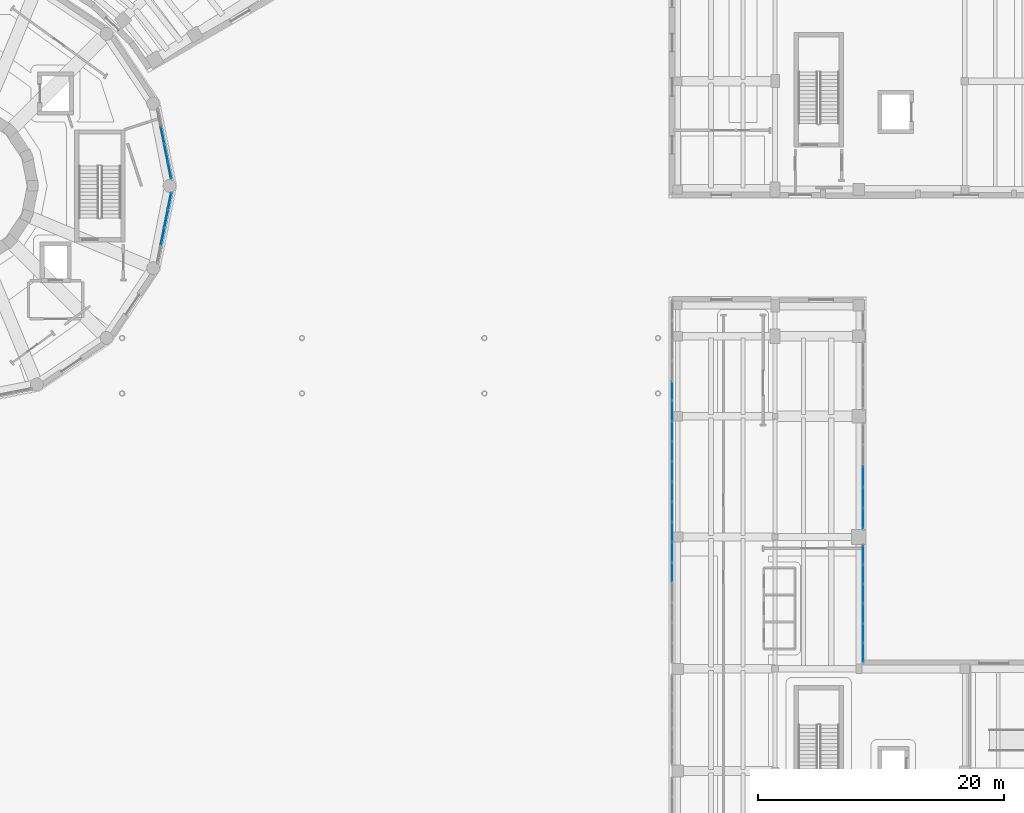
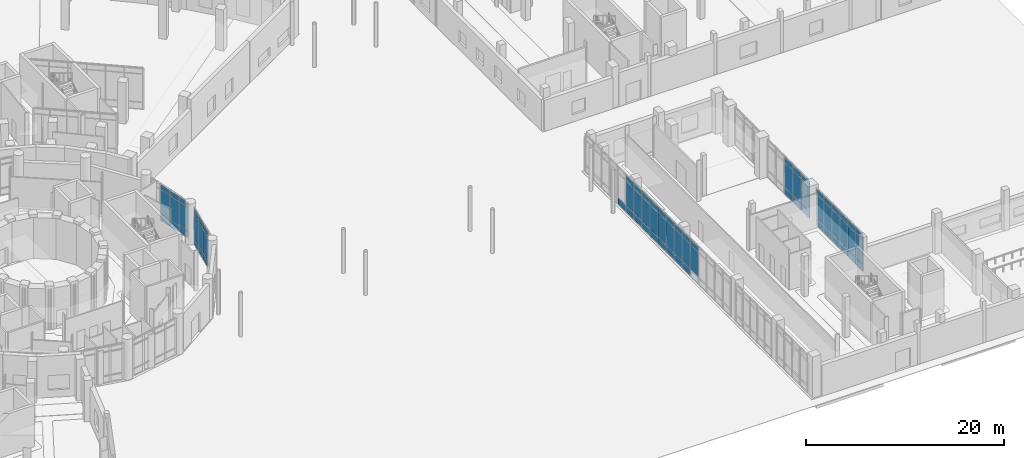
# One storey, part 35 of 74: 72 plates, 5 elements without a shape of their own.
"""IFC4 building model written with IfcOpenShell, lengths in metres."""

from ifc_helpers import new_model, si_unit, direction, frame, origin, origin_2d, place, context, subcontext, project, spatial, rectangle, extrude, material, layer, layer_set, type_object, element, aggregate, save


model = new_model("IFC4")

# Units and contexts
model_context = context("Model", 3, precision=1e-05, world=origin(), true_north=direction((0.0, 1.0)))
body_context = subcontext(model_context, "Body", "Model", "MODEL_VIEW")
ifc_project = project(units=[si_unit("LENGTHUNIT", "METRE"), si_unit("AREAUNIT", "SQUARE_METRE"), si_unit("VOLUMEUNIT", "CUBIC_METRE"), si_unit("PLANEANGLEUNIT", "RADIAN"), si_unit("MASSUNIT", "GRAM", prefix="KILO")], contexts=[model_context])

# Site, building, storey
site_placement = place(None, origin())
site = spatial("IfcSite", under=ifc_project, at=site_placement, CompositionType="ELEMENT")
building_placement = place(site_placement, origin())
building = spatial("IfcBuilding", under=site, at=building_placement, Name="Soyqirgoq Riverine Aquarium", CompositionType="ELEMENT")
storey_placement = place(building_placement, origin())
storey = spatial("IfcBuildingStorey", under=building, at=storey_placement, Name="L01", CompositionType="ELEMENT", Elevation=0.0)

# Curtain wall, plates
ifc_material_1 = material(Name="Anodised aluminium thermally broken triple low-E glazing", Category="aluminium")
curtain_wall_type_1 = type_object("IfcCurtainWallType", Name="CW_DrumGallery_Unitised", PredefinedType="NOTDEFINED", material=ifc_material_1)
curtain_wall_1_placement = place(storey_placement, origin())
curtain_wall_1 = element("IfcCurtainWall", 1, at=curtain_wall_1_placement, inside=storey, type_object=curtain_wall_type_1, Name="V1 L01 Curtain Wall 001", PredefinedType="NOTDEFINED")
ifc_material_2 = material(Name="Triple insulated laminated low-E glass", Category="glass")
ifc_layer_1 = layer(ifc_material_2, 0.0458984375)
ifc_layer_set_1 = layer_set([ifc_layer_1], Name="Triple insulated laminated low-E glass")
plate_type_1 = type_object("IfcPlateType", Name="CWGlazedPanel_46", PredefinedType="CURTAIN_PANEL", material=ifc_layer_set_1)
plate_1_placement = place(storey_placement, frame((73.449462890625, 58.259765625, 0.074951171875), z_axis=(0.0, 0.0, 1.0), x_axis=(-0.195074782196, 0.980788371338, 0.0)))
plate_1 = element("IfcPlate", 2, at=plate_1_placement, type_object=plate_type_1, Name="CW-01 panel 1.1", PredefinedType="CURTAIN_PANEL", context=body_context, shape_type="SweptSolid", body=[
    extrude(rectangle(XDim=1.339111328125, YDim=0.0458984375, at=origin_2d()), origin(), (0.0, 0.0, 1.0), 0.78759765625),
])
plate_2_placement = place(storey_placement, frame((73.449462890625, 58.259765625, 0.9375), z_axis=(0.0, 0.0, 1.0), x_axis=(-0.195074782196, 0.980788371338, 0.0)))
plate_2 = element("IfcPlate", 3, at=plate_2_placement, type_object=plate_type_1, Name="CW-01 panel 1.2", PredefinedType="CURTAIN_PANEL", context=body_context, shape_type="SweptSolid", body=[
    extrude(rectangle(XDim=1.339111328125, YDim=0.0458984375, at=origin_2d()), origin(), (0.0, 0.0, 1.0), 2.875),
])
plate_3_placement = place(storey_placement, frame((73.449462890625, 58.259765625, 3.887451171875), z_axis=(0.0, 0.0, 1.0), x_axis=(-0.195074782196, 0.980788371338, 0.0)))
plate_3 = element("IfcPlate", 4, at=plate_3_placement, type_object=plate_type_1, Name="CW-01 panel 1.3", PredefinedType="CURTAIN_PANEL", context=body_context, shape_type="SweptSolid", body=[
    extrude(rectangle(XDim=1.339111328125, YDim=0.0458984375, at=origin_2d()), origin(), (0.0, 0.0, 1.0), 0.58740234375),
])
plate_4_placement = place(storey_placement, frame((73.168701171875, 59.671142578125, 0.074951171875), z_axis=(0.0, 0.0, 1.0), x_axis=(-0.195074782196, 0.980788371338, 0.0)))
plate_4 = element("IfcPlate", 5, at=plate_4_placement, type_object=plate_type_1, Name="CW-01 panel 2.1", PredefinedType="CURTAIN_PANEL", context=body_context, shape_type="SweptSolid", body=[
    extrude(rectangle(XDim=1.379150390625, YDim=0.0458984375, at=origin_2d()), origin(), (0.0, 0.0, 1.0), 0.78759765625),
])
plate_5_placement = place(storey_placement, frame((73.168701171875, 59.671142578125, 0.9375), z_axis=(0.0, 0.0, 1.0), x_axis=(-0.195074782196, 0.980788371338, 0.0)))
plate_5 = element("IfcPlate", 6, at=plate_5_placement, type_object=plate_type_1, Name="CW-01 panel 2.2", PredefinedType="CURTAIN_PANEL", context=body_context, shape_type="SweptSolid", body=[
    extrude(rectangle(XDim=1.379150390625, YDim=0.0458984375, at=origin_2d()), origin(), (0.0, 0.0, 1.0), 2.875),
])
plate_6_placement = place(storey_placement, frame((73.168701171875, 59.671142578125, 3.887451171875), z_axis=(0.0, 0.0, 1.0), x_axis=(-0.195074782196, 0.980788371338, 0.0)))
plate_6 = element("IfcPlate", 7, at=plate_6_placement, type_object=plate_type_1, Name="CW-01 panel 2.3", PredefinedType="CURTAIN_PANEL", context=body_context, shape_type="SweptSolid", body=[
    extrude(rectangle(XDim=1.379150390625, YDim=0.0458984375, at=origin_2d()), origin(), (0.0, 0.0, 1.0), 0.58740234375),
])
plate_7_placement = place(storey_placement, frame((72.884033203125, 61.102294921875, 0.074951171875), z_axis=(0.0, 0.0, 1.0), x_axis=(-0.195074782196, 0.980788371338, 0.0)))
plate_7 = element("IfcPlate", 8, at=plate_7_placement, type_object=plate_type_1, Name="CW-01 panel 3.1", PredefinedType="CURTAIN_PANEL", context=body_context, shape_type="SweptSolid", body=[
    extrude(rectangle(XDim=1.379150390625, YDim=0.0458984375, at=origin_2d()), origin(), (0.0, 0.0, 1.0), 0.78759765625),
])
plate_8_placement = place(storey_placement, frame((72.884033203125, 61.102294921875, 0.9375), z_axis=(0.0, 0.0, 1.0), x_axis=(-0.195074782196, 0.980788371338, 0.0)))
plate_8 = element("IfcPlate", 9, at=plate_8_placement, type_object=plate_type_1, Name="CW-01 panel 3.2", PredefinedType="CURTAIN_PANEL", context=body_context, shape_type="SweptSolid", body=[
    extrude(rectangle(XDim=1.379150390625, YDim=0.0458984375, at=origin_2d()), origin(), (0.0, 0.0, 1.0), 2.875),
])
plate_9_placement = place(storey_placement, frame((72.884033203125, 61.102294921875, 3.887451171875), z_axis=(0.0, 0.0, 1.0), x_axis=(-0.195074782196, 0.980788371338, 0.0)))
plate_9 = element("IfcPlate", 10, at=plate_9_placement, type_object=plate_type_1, Name="CW-01 panel 3.3", PredefinedType="CURTAIN_PANEL", context=body_context, shape_type="SweptSolid", body=[
    extrude(rectangle(XDim=1.379150390625, YDim=0.0458984375, at=origin_2d()), origin(), (0.0, 0.0, 1.0), 0.58740234375),
])
aggregate(curtain_wall_1, [plate_1, plate_2, plate_3, plate_4, plate_5, plate_6, plate_7, plate_8, plate_9])

ifc_material_3 = material(Name="Structural silicone glazed entrance curtain wall", Category="aluminium")
curtain_wall_type_2 = type_object("IfcCurtainWallType", Name="CW_Portal_Entrance", PredefinedType="NOTDEFINED", material=ifc_material_3)
curtain_wall_2_placement = place(storey_placement, origin())
curtain_wall_2 = element("IfcCurtainWall", 11, at=curtain_wall_2_placement, inside=storey, type_object=curtain_wall_type_2, Name="V6 L01 Curtain Wall 106", PredefinedType="NOTDEFINED")
plate_10_placement = place(storey_placement, frame((114.25, 25.6298828125, 0.9375), z_axis=(0.0, 0.0, 1.0), x_axis=(0.0, 1.0, 0.0)))
plate_10 = element("IfcPlate", 12, at=plate_10_placement, type_object=plate_type_1, Name="CW-04 panel 5.2", PredefinedType="CURTAIN_PANEL", context=body_context, shape_type="SweptSolid", body=[
    extrude(rectangle(XDim=1.5556640625, YDim=0.0458984375, at=origin_2d()), origin(), (0.0, 0.0, 1.0), 3.02490234375),
])
plate_11_placement = place(storey_placement, frame((114.25, 25.6298828125, 4.03759765625), z_axis=(0.0, 0.0, 1.0), x_axis=(0.0, 1.0, 0.0)))
plate_11 = element("IfcPlate", 13, at=plate_11_placement, type_object=plate_type_1, Name="CW-04 panel 5.3", PredefinedType="CURTAIN_PANEL", context=body_context, shape_type="SweptSolid", body=[
    extrude(rectangle(XDim=1.5556640625, YDim=0.0458984375, at=origin_2d()), origin(), (0.0, 0.0, 1.0), 0.58740234375),
])
plate_12_placement = place(storey_placement, frame((114.25, 27.265625, 0.074951171875), z_axis=(0.0, 0.0, 1.0), x_axis=(0.0, 1.0, 0.0)))
plate_12 = element("IfcPlate", 14, at=plate_12_placement, type_object=plate_type_1, Name="CW-04 panel 6.1", PredefinedType="CURTAIN_PANEL", context=body_context, shape_type="SweptSolid", body=[
    extrude(rectangle(XDim=1.5556640625, YDim=0.0458984375, at=origin_2d()), origin(), (0.0, 0.0, 1.0), 0.78759765625),
])
plate_13_placement = place(storey_placement, frame((114.25, 27.265625, 0.9375), z_axis=(0.0, 0.0, 1.0), x_axis=(0.0, 1.0, 0.0)))
plate_13 = element("IfcPlate", 15, at=plate_13_placement, type_object=plate_type_1, Name="CW-04 panel 6.2", PredefinedType="CURTAIN_PANEL", context=body_context, shape_type="SweptSolid", body=[
    extrude(rectangle(XDim=1.5556640625, YDim=0.0458984375, at=origin_2d()), origin(), (0.0, 0.0, 1.0), 3.02490234375),
])
plate_14_placement = place(storey_placement, frame((114.25, 27.265625, 4.03759765625), z_axis=(0.0, 0.0, 1.0), x_axis=(0.0, 1.0, 0.0)))
plate_14 = element("IfcPlate", 16, at=plate_14_placement, type_object=plate_type_1, Name="CW-04 panel 6.3", PredefinedType="CURTAIN_PANEL", context=body_context, shape_type="SweptSolid", body=[
    extrude(rectangle(XDim=1.5556640625, YDim=0.0458984375, at=origin_2d()), origin(), (0.0, 0.0, 1.0), 0.58740234375),
])
plate_15_placement = place(storey_placement, frame((114.25, 28.901123046875, 0.074951171875), z_axis=(0.0, 0.0, 1.0), x_axis=(0.0, 1.0, 0.0)))
plate_15 = element("IfcPlate", 17, at=plate_15_placement, type_object=plate_type_1, Name="CW-04 panel 7.1", PredefinedType="CURTAIN_PANEL", context=body_context, shape_type="SweptSolid", body=[
    extrude(rectangle(XDim=1.5556640625, YDim=0.0458984375, at=origin_2d()), origin(), (0.0, 0.0, 1.0), 0.78759765625),
])
plate_16_placement = place(storey_placement, frame((114.25, 28.901123046875, 0.9375), z_axis=(0.0, 0.0, 1.0), x_axis=(0.0, 1.0, 0.0)))
plate_16 = element("IfcPlate", 18, at=plate_16_placement, type_object=plate_type_1, Name="CW-04 panel 7.2", PredefinedType="CURTAIN_PANEL", context=body_context, shape_type="SweptSolid", body=[
    extrude(rectangle(XDim=1.5556640625, YDim=0.0458984375, at=origin_2d()), origin(), (0.0, 0.0, 1.0), 3.02490234375),
])
plate_17_placement = place(storey_placement, frame((114.25, 28.901123046875, 4.03759765625), z_axis=(0.0, 0.0, 1.0), x_axis=(0.0, 1.0, 0.0)))
plate_17 = element("IfcPlate", 19, at=plate_17_placement, type_object=plate_type_1, Name="CW-04 panel 7.3", PredefinedType="CURTAIN_PANEL", context=body_context, shape_type="SweptSolid", body=[
    extrude(rectangle(XDim=1.5556640625, YDim=0.0458984375, at=origin_2d()), origin(), (0.0, 0.0, 1.0), 0.58740234375),
])
plate_18_placement = place(storey_placement, frame((114.25, 30.53662109375, 0.074951171875), z_axis=(0.0, 0.0, 1.0), x_axis=(0.0, 1.0, 0.0)))
plate_18 = element("IfcPlate", 20, at=plate_18_placement, type_object=plate_type_1, Name="CW-04 panel 8.1", PredefinedType="CURTAIN_PANEL", context=body_context, shape_type="SweptSolid", body=[
    extrude(rectangle(XDim=1.5556640625, YDim=0.0458984375, at=origin_2d()), origin(), (0.0, 0.0, 1.0), 0.78759765625),
])
plate_19_placement = place(storey_placement, frame((114.25, 30.53662109375, 0.9375), z_axis=(0.0, 0.0, 1.0), x_axis=(0.0, 1.0, 0.0)))
plate_19 = element("IfcPlate", 21, at=plate_19_placement, type_object=plate_type_1, Name="CW-04 panel 8.2", PredefinedType="CURTAIN_PANEL", context=body_context, shape_type="SweptSolid", body=[
    extrude(rectangle(XDim=1.5556640625, YDim=0.0458984375, at=origin_2d()), origin(), (0.0, 0.0, 1.0), 3.02490234375),
])
plate_20_placement = place(storey_placement, frame((114.25, 30.53662109375, 4.03759765625), z_axis=(0.0, 0.0, 1.0), x_axis=(0.0, 1.0, 0.0)))
plate_20 = element("IfcPlate", 22, at=plate_20_placement, type_object=plate_type_1, Name="CW-04 panel 8.3", PredefinedType="CURTAIN_PANEL", context=body_context, shape_type="SweptSolid", body=[
    extrude(rectangle(XDim=1.5556640625, YDim=0.0458984375, at=origin_2d()), origin(), (0.0, 0.0, 1.0), 0.58740234375),
])
plate_21_placement = place(storey_placement, frame((114.25, 32.172119140625, 0.074951171875), z_axis=(0.0, 0.0, 1.0), x_axis=(0.0, 1.0, 0.0)))
plate_21 = element("IfcPlate", 23, at=plate_21_placement, type_object=plate_type_1, Name="CW-04 panel 9.1", PredefinedType="CURTAIN_PANEL", context=body_context, shape_type="SweptSolid", body=[
    extrude(rectangle(XDim=1.5556640625, YDim=0.0458984375, at=origin_2d()), origin(), (0.0, 0.0, 1.0), 0.78759765625),
])
plate_22_placement = place(storey_placement, frame((114.25, 32.172119140625, 0.9375), z_axis=(0.0, 0.0, 1.0), x_axis=(0.0, 1.0, 0.0)))
plate_22 = element("IfcPlate", 24, at=plate_22_placement, type_object=plate_type_1, Name="CW-04 panel 9.2", PredefinedType="CURTAIN_PANEL", context=body_context, shape_type="SweptSolid", body=[
    extrude(rectangle(XDim=1.5556640625, YDim=0.0458984375, at=origin_2d()), origin(), (0.0, 0.0, 1.0), 3.02490234375),
])
plate_23_placement = place(storey_placement, frame((114.25, 32.172119140625, 4.03759765625), z_axis=(0.0, 0.0, 1.0), x_axis=(0.0, 1.0, 0.0)))
plate_23 = element("IfcPlate", 25, at=plate_23_placement, type_object=plate_type_1, Name="CW-04 panel 9.3", PredefinedType="CURTAIN_PANEL", context=body_context, shape_type="SweptSolid", body=[
    extrude(rectangle(XDim=1.5556640625, YDim=0.0458984375, at=origin_2d()), origin(), (0.0, 0.0, 1.0), 0.58740234375),
])
plate_24_placement = place(storey_placement, frame((114.25, 33.807861328125, 0.074951171875), z_axis=(0.0, 0.0, 1.0), x_axis=(0.0, 1.0, 0.0)))
plate_24 = element("IfcPlate", 26, at=plate_24_placement, type_object=plate_type_1, Name="CW-04 panel 10.1", PredefinedType="CURTAIN_PANEL", context=body_context, shape_type="SweptSolid", body=[
    extrude(rectangle(XDim=1.5556640625, YDim=0.0458984375, at=origin_2d()), origin(), (0.0, 0.0, 1.0), 0.78759765625),
])
plate_25_placement = place(storey_placement, frame((114.25, 33.807861328125, 0.9375), z_axis=(0.0, 0.0, 1.0), x_axis=(0.0, 1.0, 0.0)))
plate_25 = element("IfcPlate", 27, at=plate_25_placement, type_object=plate_type_1, Name="CW-04 panel 10.2", PredefinedType="CURTAIN_PANEL", context=body_context, shape_type="SweptSolid", body=[
    extrude(rectangle(XDim=1.5556640625, YDim=0.0458984375, at=origin_2d()), origin(), (0.0, 0.0, 1.0), 3.02490234375),
])
plate_26_placement = place(storey_placement, frame((114.25, 33.807861328125, 4.03759765625), z_axis=(0.0, 0.0, 1.0), x_axis=(0.0, 1.0, 0.0)))
plate_26 = element("IfcPlate", 28, at=plate_26_placement, type_object=plate_type_1, Name="CW-04 panel 10.3", PredefinedType="CURTAIN_PANEL", context=body_context, shape_type="SweptSolid", body=[
    extrude(rectangle(XDim=1.5556640625, YDim=0.0458984375, at=origin_2d()), origin(), (0.0, 0.0, 1.0), 0.58740234375),
])
plate_27_placement = place(storey_placement, frame((114.25, 35.443359375, 0.074951171875), z_axis=(0.0, 0.0, 1.0), x_axis=(0.0, 1.0, 0.0)))
plate_27 = element("IfcPlate", 29, at=plate_27_placement, type_object=plate_type_1, Name="CW-04 panel 11.1", PredefinedType="CURTAIN_PANEL", context=body_context, shape_type="SweptSolid", body=[
    extrude(rectangle(XDim=1.5556640625, YDim=0.0458984375, at=origin_2d()), origin(), (0.0, 0.0, 1.0), 0.78759765625),
])
plate_28_placement = place(storey_placement, frame((114.25, 35.443359375, 0.9375), z_axis=(0.0, 0.0, 1.0), x_axis=(0.0, 1.0, 0.0)))
plate_28 = element("IfcPlate", 30, at=plate_28_placement, type_object=plate_type_1, Name="CW-04 panel 11.2", PredefinedType="CURTAIN_PANEL", context=body_context, shape_type="SweptSolid", body=[
    extrude(rectangle(XDim=1.5556640625, YDim=0.0458984375, at=origin_2d()), origin(), (0.0, 0.0, 1.0), 3.02490234375),
])
plate_29_placement = place(storey_placement, frame((114.25, 35.443359375, 4.03759765625), z_axis=(0.0, 0.0, 1.0), x_axis=(0.0, 1.0, 0.0)))
plate_29 = element("IfcPlate", 31, at=plate_29_placement, type_object=plate_type_1, Name="CW-04 panel 11.3", PredefinedType="CURTAIN_PANEL", context=body_context, shape_type="SweptSolid", body=[
    extrude(rectangle(XDim=1.5556640625, YDim=0.0458984375, at=origin_2d()), origin(), (0.0, 0.0, 1.0), 0.58740234375),
])
plate_30_placement = place(storey_placement, frame((114.25, 37.078857421875, 0.074951171875), z_axis=(0.0, 0.0, 1.0), x_axis=(0.0, 1.0, 0.0)))
plate_30 = element("IfcPlate", 32, at=plate_30_placement, type_object=plate_type_1, Name="CW-04 panel 12.1", PredefinedType="CURTAIN_PANEL", context=body_context, shape_type="SweptSolid", body=[
    extrude(rectangle(XDim=1.5556640625, YDim=0.0458984375, at=origin_2d()), origin(), (0.0, 0.0, 1.0), 0.78759765625),
])
plate_31_placement = place(storey_placement, frame((114.25, 37.078857421875, 0.9375), z_axis=(0.0, 0.0, 1.0), x_axis=(0.0, 1.0, 0.0)))
plate_31 = element("IfcPlate", 33, at=plate_31_placement, type_object=plate_type_1, Name="CW-04 panel 12.2", PredefinedType="CURTAIN_PANEL", context=body_context, shape_type="SweptSolid", body=[
    extrude(rectangle(XDim=1.5556640625, YDim=0.0458984375, at=origin_2d()), origin(), (0.0, 0.0, 1.0), 3.02490234375),
])
plate_32_placement = place(storey_placement, frame((114.25, 37.078857421875, 4.03759765625), z_axis=(0.0, 0.0, 1.0), x_axis=(0.0, 1.0, 0.0)))
plate_32 = element("IfcPlate", 34, at=plate_32_placement, type_object=plate_type_1, Name="CW-04 panel 12.3", PredefinedType="CURTAIN_PANEL", context=body_context, shape_type="SweptSolid", body=[
    extrude(rectangle(XDim=1.5556640625, YDim=0.0458984375, at=origin_2d()), origin(), (0.0, 0.0, 1.0), 0.58740234375),
])
plate_33_placement = place(storey_placement, frame((114.25, 38.71435546875, 0.074951171875), z_axis=(0.0, 0.0, 1.0), x_axis=(0.0, 1.0, 0.0)))
plate_33 = element("IfcPlate", 35, at=plate_33_placement, type_object=plate_type_1, Name="CW-04 panel 13.1", PredefinedType="CURTAIN_PANEL", context=body_context, shape_type="SweptSolid", body=[
    extrude(rectangle(XDim=1.5556640625, YDim=0.0458984375, at=origin_2d()), origin(), (0.0, 0.0, 1.0), 0.78759765625),
])
plate_34_placement = place(storey_placement, frame((114.25, 38.71435546875, 0.9375), z_axis=(0.0, 0.0, 1.0), x_axis=(0.0, 1.0, 0.0)))
plate_34 = element("IfcPlate", 36, at=plate_34_placement, type_object=plate_type_1, Name="CW-04 panel 13.2", PredefinedType="CURTAIN_PANEL", context=body_context, shape_type="SweptSolid", body=[
    extrude(rectangle(XDim=1.5556640625, YDim=0.0458984375, at=origin_2d()), origin(), (0.0, 0.0, 1.0), 3.02490234375),
])
plate_35_placement = place(storey_placement, frame((114.25, 38.71435546875, 4.03759765625), z_axis=(0.0, 0.0, 1.0), x_axis=(0.0, 1.0, 0.0)))
plate_35 = element("IfcPlate", 37, at=plate_35_placement, type_object=plate_type_1, Name="CW-04 panel 13.3", PredefinedType="CURTAIN_PANEL", context=body_context, shape_type="SweptSolid", body=[
    extrude(rectangle(XDim=1.5556640625, YDim=0.0458984375, at=origin_2d()), origin(), (0.0, 0.0, 1.0), 0.58740234375),
])
plate_36_placement = place(storey_placement, frame((114.25, 40.35009765625, 0.074951171875), z_axis=(0.0, 0.0, 1.0), x_axis=(0.0, 1.0, 0.0)))
plate_36 = element("IfcPlate", 38, at=plate_36_placement, type_object=plate_type_1, Name="CW-04 panel 14.1", PredefinedType="CURTAIN_PANEL", context=body_context, shape_type="SweptSolid", body=[
    extrude(rectangle(XDim=1.5556640625, YDim=0.0458984375, at=origin_2d()), origin(), (0.0, 0.0, 1.0), 0.78759765625),
])
aggregate(curtain_wall_2, [plate_10, plate_11, plate_12, plate_13, plate_14, plate_15, plate_16, plate_17, plate_18, plate_19, plate_20, plate_21, plate_22, plate_23, plate_24, plate_25, plate_26, plate_27, plate_28, plate_29, plate_30, plate_31, plate_32, plate_33, plate_34, plate_35, plate_36])

curtain_wall_3_placement = place(storey_placement, origin())
curtain_wall_3 = element("IfcCurtainWall", 39, at=curtain_wall_3_placement, inside=storey, type_object=curtain_wall_type_2, Name="V6 L01 Curtain Wall 109", PredefinedType="NOTDEFINED")
plate_37_placement = place(storey_placement, frame((129.75, 33.425048828125, 0.074951171875), z_axis=(0.0, 0.0, 1.0), x_axis=(0.0, -1.0, 0.0)))
plate_37 = element("IfcPlate", 40, at=plate_37_placement, type_object=plate_type_1, Name="CW-04 panel 3.1", PredefinedType="CURTAIN_PANEL", context=body_context, shape_type="SweptSolid", body=[
    extrude(rectangle(XDim=1.64208984375, YDim=0.0458984375, at=origin_2d()), origin(), (0.0, 0.0, 1.0), 0.78759765625),
])
plate_38_placement = place(storey_placement, frame((129.75, 33.425048828125, 0.9375), z_axis=(0.0, 0.0, 1.0), x_axis=(0.0, -1.0, 0.0)))
plate_38 = element("IfcPlate", 41, at=plate_38_placement, type_object=plate_type_1, Name="CW-04 panel 3.2", PredefinedType="CURTAIN_PANEL", context=body_context, shape_type="SweptSolid", body=[
    extrude(rectangle(XDim=1.64208984375, YDim=0.0458984375, at=origin_2d()), origin(), (0.0, 0.0, 1.0), 3.02490234375),
])
plate_39_placement = place(storey_placement, frame((129.75, 33.425048828125, 4.03759765625), z_axis=(0.0, 0.0, 1.0), x_axis=(0.0, -1.0, 0.0)))
plate_39 = element("IfcPlate", 42, at=plate_39_placement, type_object=plate_type_1, Name="CW-04 panel 3.3", PredefinedType="CURTAIN_PANEL", context=body_context, shape_type="SweptSolid", body=[
    extrude(rectangle(XDim=1.64208984375, YDim=0.0458984375, at=origin_2d()), origin(), (0.0, 0.0, 1.0), 0.58740234375),
])
plate_40_placement = place(storey_placement, frame((129.75, 31.702880859375, 0.074951171875), z_axis=(0.0, 0.0, 1.0), x_axis=(0.0, -1.0, 0.0)))
plate_40 = element("IfcPlate", 43, at=plate_40_placement, type_object=plate_type_1, Name="CW-04 panel 4.1", PredefinedType="CURTAIN_PANEL", context=body_context, shape_type="SweptSolid", body=[
    extrude(rectangle(XDim=1.64208984375, YDim=0.0458984375, at=origin_2d()), origin(), (0.0, 0.0, 1.0), 0.78759765625),
])
plate_41_placement = place(storey_placement, frame((129.75, 31.702880859375, 0.9375), z_axis=(0.0, 0.0, 1.0), x_axis=(0.0, -1.0, 0.0)))
plate_41 = element("IfcPlate", 44, at=plate_41_placement, type_object=plate_type_1, Name="CW-04 panel 4.2", PredefinedType="CURTAIN_PANEL", context=body_context, shape_type="SweptSolid", body=[
    extrude(rectangle(XDim=1.64208984375, YDim=0.0458984375, at=origin_2d()), origin(), (0.0, 0.0, 1.0), 3.02490234375),
])
plate_42_placement = place(storey_placement, frame((129.75, 31.702880859375, 4.03759765625), z_axis=(0.0, 0.0, 1.0), x_axis=(0.0, -1.0, 0.0)))
plate_42 = element("IfcPlate", 45, at=plate_42_placement, type_object=plate_type_1, Name="CW-04 panel 4.3", PredefinedType="CURTAIN_PANEL", context=body_context, shape_type="SweptSolid", body=[
    extrude(rectangle(XDim=1.64208984375, YDim=0.0458984375, at=origin_2d()), origin(), (0.0, 0.0, 1.0), 0.58740234375),
])
plate_43_placement = place(storey_placement, frame((129.75, 30.0009765625, 0.074951171875), z_axis=(0.0, 0.0, 1.0), x_axis=(0.0, -1.0, 0.0)))
plate_43 = element("IfcPlate", 46, at=plate_43_placement, type_object=plate_type_1, Name="CW-04 panel 5.1", PredefinedType="CURTAIN_PANEL", context=body_context, shape_type="SweptSolid", body=[
    extrude(rectangle(XDim=1.60205078125, YDim=0.0458984375, at=origin_2d()), origin(), (0.0, 0.0, 1.0), 0.78759765625),
])
plate_44_placement = place(storey_placement, frame((129.75, 30.0009765625, 0.9375), z_axis=(0.0, 0.0, 1.0), x_axis=(0.0, -1.0, 0.0)))
plate_44 = element("IfcPlate", 47, at=plate_44_placement, type_object=plate_type_1, Name="CW-04 panel 5.2", PredefinedType="CURTAIN_PANEL", context=body_context, shape_type="SweptSolid", body=[
    extrude(rectangle(XDim=1.60205078125, YDim=0.0458984375, at=origin_2d()), origin(), (0.0, 0.0, 1.0), 3.02490234375),
])
plate_45_placement = place(storey_placement, frame((129.75, 30.0009765625, 4.03759765625), z_axis=(0.0, 0.0, 1.0), x_axis=(0.0, -1.0, 0.0)))
plate_45 = element("IfcPlate", 48, at=plate_45_placement, type_object=plate_type_1, Name="CW-04 panel 5.3", PredefinedType="CURTAIN_PANEL", context=body_context, shape_type="SweptSolid", body=[
    extrude(rectangle(XDim=1.60205078125, YDim=0.0458984375, at=origin_2d()), origin(), (0.0, 0.0, 1.0), 0.58740234375),
])
aggregate(curtain_wall_3, [plate_37, plate_38, plate_39, plate_40, plate_41, plate_42, plate_43, plate_44, plate_45])

curtain_wall_4_placement = place(storey_placement, origin())
curtain_wall_4 = element("IfcCurtainWall", 49, at=curtain_wall_4_placement, inside=storey, type_object=curtain_wall_type_2, Name="V6 L01 Curtain Wall 110", PredefinedType="NOTDEFINED")
plate_46_placement = place(storey_placement, frame((129.75, 27.060791015625, 0.074951171875), z_axis=(0.0, 0.0, 1.0), x_axis=(0.0, -1.0, 0.0)))
plate_46 = element("IfcPlate", 50, at=plate_46_placement, type_object=plate_type_1, Name="CW-04 panel 1.1", PredefinedType="CURTAIN_PANEL", context=body_context, shape_type="SweptSolid", body=[
    extrude(rectangle(XDim=1.478271484375, YDim=0.0458984375, at=origin_2d()), origin(), (0.0, 0.0, 1.0), 0.78759765625),
])
plate_47_placement = place(storey_placement, frame((129.75, 27.060791015625, 0.9375), z_axis=(0.0, 0.0, 1.0), x_axis=(0.0, -1.0, 0.0)))
plate_47 = element("IfcPlate", 51, at=plate_47_placement, type_object=plate_type_1, Name="CW-04 panel 1.2", PredefinedType="CURTAIN_PANEL", context=body_context, shape_type="SweptSolid", body=[
    extrude(rectangle(XDim=1.478271484375, YDim=0.0458984375, at=origin_2d()), origin(), (0.0, 0.0, 1.0), 3.02490234375),
])
plate_48_placement = place(storey_placement, frame((129.75, 27.060791015625, 4.03759765625), z_axis=(0.0, 0.0, 1.0), x_axis=(0.0, -1.0, 0.0)))
plate_48 = element("IfcPlate", 52, at=plate_48_placement, type_object=plate_type_1, Name="CW-04 panel 1.3", PredefinedType="CURTAIN_PANEL", context=body_context, shape_type="SweptSolid", body=[
    extrude(rectangle(XDim=1.478271484375, YDim=0.0458984375, at=origin_2d()), origin(), (0.0, 0.0, 1.0), 0.58740234375),
])
plate_49_placement = place(storey_placement, frame((129.75, 25.482421875, 0.074951171875), z_axis=(0.0, 0.0, 1.0), x_axis=(0.0, -1.0, 0.0)))
plate_49 = element("IfcPlate", 53, at=plate_49_placement, type_object=plate_type_1, Name="CW-04 panel 2.1", PredefinedType="CURTAIN_PANEL", context=body_context, shape_type="SweptSolid", body=[
    extrude(rectangle(XDim=1.518310546875, YDim=0.0458984375, at=origin_2d()), origin(), (0.0, 0.0, 1.0), 0.78759765625),
])
plate_50_placement = place(storey_placement, frame((129.75, 25.482421875, 0.9375), z_axis=(0.0, 0.0, 1.0), x_axis=(0.0, -1.0, 0.0)))
plate_50 = element("IfcPlate", 54, at=plate_50_placement, type_object=plate_type_1, Name="CW-04 panel 2.2", PredefinedType="CURTAIN_PANEL", context=body_context, shape_type="SweptSolid", body=[
    extrude(rectangle(XDim=1.518310546875, YDim=0.0458984375, at=origin_2d()), origin(), (0.0, 0.0, 1.0), 3.02490234375),
])
plate_51_placement = place(storey_placement, frame((129.75, 25.482421875, 4.03759765625), z_axis=(0.0, 0.0, 1.0), x_axis=(0.0, -1.0, 0.0)))
plate_51 = element("IfcPlate", 55, at=plate_51_placement, type_object=plate_type_1, Name="CW-04 panel 2.3", PredefinedType="CURTAIN_PANEL", context=body_context, shape_type="SweptSolid", body=[
    extrude(rectangle(XDim=1.518310546875, YDim=0.0458984375, at=origin_2d()), origin(), (0.0, 0.0, 1.0), 0.58740234375),
])
plate_52_placement = place(storey_placement, frame((129.75, 23.88427734375, 0.074951171875), z_axis=(0.0, 0.0, 1.0), x_axis=(0.0, -1.0, 0.0)))
plate_52 = element("IfcPlate", 56, at=plate_52_placement, type_object=plate_type_1, Name="CW-04 panel 3.1", PredefinedType="CURTAIN_PANEL", context=body_context, shape_type="SweptSolid", body=[
    extrude(rectangle(XDim=1.518310546875, YDim=0.0458984375, at=origin_2d()), origin(), (0.0, 0.0, 1.0), 0.78759765625),
])
plate_53_placement = place(storey_placement, frame((129.75, 23.88427734375, 0.9375), z_axis=(0.0, 0.0, 1.0), x_axis=(0.0, -1.0, 0.0)))
plate_53 = element("IfcPlate", 57, at=plate_53_placement, type_object=plate_type_1, Name="CW-04 panel 3.2", PredefinedType="CURTAIN_PANEL", context=body_context, shape_type="SweptSolid", body=[
    extrude(rectangle(XDim=1.518310546875, YDim=0.0458984375, at=origin_2d()), origin(), (0.0, 0.0, 1.0), 3.02490234375),
])
plate_54_placement = place(storey_placement, frame((129.75, 23.88427734375, 4.03759765625), z_axis=(0.0, 0.0, 1.0), x_axis=(0.0, -1.0, 0.0)))
plate_54 = element("IfcPlate", 58, at=plate_54_placement, type_object=plate_type_1, Name="CW-04 panel 3.3", PredefinedType="CURTAIN_PANEL", context=body_context, shape_type="SweptSolid", body=[
    extrude(rectangle(XDim=1.518310546875, YDim=0.0458984375, at=origin_2d()), origin(), (0.0, 0.0, 1.0), 0.58740234375),
])
plate_55_placement = place(storey_placement, frame((129.75, 22.285888671875, 0.074951171875), z_axis=(0.0, 0.0, 1.0), x_axis=(0.0, -1.0, 0.0)))
plate_55 = element("IfcPlate", 59, at=plate_55_placement, type_object=plate_type_1, Name="CW-04 panel 4.1", PredefinedType="CURTAIN_PANEL", context=body_context, shape_type="SweptSolid", body=[
    extrude(rectangle(XDim=1.518310546875, YDim=0.0458984375, at=origin_2d()), origin(), (0.0, 0.0, 1.0), 0.78759765625),
])
plate_56_placement = place(storey_placement, frame((129.75, 22.285888671875, 0.9375), z_axis=(0.0, 0.0, 1.0), x_axis=(0.0, -1.0, 0.0)))
plate_56 = element("IfcPlate", 60, at=plate_56_placement, type_object=plate_type_1, Name="CW-04 panel 4.2", PredefinedType="CURTAIN_PANEL", context=body_context, shape_type="SweptSolid", body=[
    extrude(rectangle(XDim=1.518310546875, YDim=0.0458984375, at=origin_2d()), origin(), (0.0, 0.0, 1.0), 3.02490234375),
])
plate_57_placement = place(storey_placement, frame((129.75, 22.285888671875, 4.03759765625), z_axis=(0.0, 0.0, 1.0), x_axis=(0.0, -1.0, 0.0)))
plate_57 = element("IfcPlate", 61, at=plate_57_placement, type_object=plate_type_1, Name="CW-04 panel 4.3", PredefinedType="CURTAIN_PANEL", context=body_context, shape_type="SweptSolid", body=[
    extrude(rectangle(XDim=1.518310546875, YDim=0.0458984375, at=origin_2d()), origin(), (0.0, 0.0, 1.0), 0.58740234375),
])
plate_58_placement = place(storey_placement, frame((129.75, 20.6875, 0.074951171875), z_axis=(0.0, 0.0, 1.0), x_axis=(0.0, -1.0, 0.0)))
plate_58 = element("IfcPlate", 62, at=plate_58_placement, type_object=plate_type_1, Name="CW-04 panel 5.1", PredefinedType="CURTAIN_PANEL", context=body_context, shape_type="SweptSolid", body=[
    extrude(rectangle(XDim=1.518310546875, YDim=0.0458984375, at=origin_2d()), origin(), (0.0, 0.0, 1.0), 0.78759765625),
])
plate_59_placement = place(storey_placement, frame((129.75, 20.6875, 0.9375), z_axis=(0.0, 0.0, 1.0), x_axis=(0.0, -1.0, 0.0)))
plate_59 = element("IfcPlate", 63, at=plate_59_placement, type_object=plate_type_1, Name="CW-04 panel 5.2", PredefinedType="CURTAIN_PANEL", context=body_context, shape_type="SweptSolid", body=[
    extrude(rectangle(XDim=1.518310546875, YDim=0.0458984375, at=origin_2d()), origin(), (0.0, 0.0, 1.0), 3.02490234375),
])
plate_60_placement = place(storey_placement, frame((129.75, 20.6875, 4.03759765625), z_axis=(0.0, 0.0, 1.0), x_axis=(0.0, -1.0, 0.0)))
plate_60 = element("IfcPlate", 64, at=plate_60_placement, type_object=plate_type_1, Name="CW-04 panel 5.3", PredefinedType="CURTAIN_PANEL", context=body_context, shape_type="SweptSolid", body=[
    extrude(rectangle(XDim=1.518310546875, YDim=0.0458984375, at=origin_2d()), origin(), (0.0, 0.0, 1.0), 0.58740234375),
])
plate_61_placement = place(storey_placement, frame((129.75, 19.109130859375, 0.074951171875), z_axis=(0.0, 0.0, 1.0), x_axis=(0.0, -1.0, 0.0)))
plate_61 = element("IfcPlate", 65, at=plate_61_placement, type_object=plate_type_1, Name="CW-04 panel 6.1", PredefinedType="CURTAIN_PANEL", context=body_context, shape_type="SweptSolid", body=[
    extrude(rectangle(XDim=1.478271484375, YDim=0.0458984375, at=origin_2d()), origin(), (0.0, 0.0, 1.0), 0.78759765625),
])
plate_62_placement = place(storey_placement, frame((129.75, 19.109130859375, 0.9375), z_axis=(0.0, 0.0, 1.0), x_axis=(0.0, -1.0, 0.0)))
plate_62 = element("IfcPlate", 66, at=plate_62_placement, type_object=plate_type_1, Name="CW-04 panel 6.2", PredefinedType="CURTAIN_PANEL", context=body_context, shape_type="SweptSolid", body=[
    extrude(rectangle(XDim=1.478271484375, YDim=0.0458984375, at=origin_2d()), origin(), (0.0, 0.0, 1.0), 3.02490234375),
])
plate_63_placement = place(storey_placement, frame((129.75, 19.109130859375, 4.03759765625), z_axis=(0.0, 0.0, 1.0), x_axis=(0.0, -1.0, 0.0)))
plate_63 = element("IfcPlate", 67, at=plate_63_placement, type_object=plate_type_1, Name="CW-04 panel 6.3", PredefinedType="CURTAIN_PANEL", context=body_context, shape_type="SweptSolid", body=[
    extrude(rectangle(XDim=1.478271484375, YDim=0.0458984375, at=origin_2d()), origin(), (0.0, 0.0, 1.0), 0.58740234375),
])
aggregate(curtain_wall_4, [plate_46, plate_47, plate_48, plate_49, plate_50, plate_51, plate_52, plate_53, plate_54, plate_55, plate_56, plate_57, plate_58, plate_59, plate_60, plate_61, plate_62, plate_63])

curtain_wall_5_placement = place(storey_placement, origin())
curtain_wall_5 = element("IfcCurtainWall", 68, at=curtain_wall_5_placement, inside=storey, type_object=curtain_wall_type_1, Name="V1 L01 Curtain Wall 072", PredefinedType="NOTDEFINED")
ifc_material_4 = material(Name="Insulated shadow-box aluminium spandrel panel", Category="aluminium")
ifc_layer_2 = layer(ifc_material_4, 0.06005859375)
ifc_layer_set_2 = layer_set([ifc_layer_2], Name="Insulated shadow-box aluminium spandrel panel")
plate_type_2 = type_object("IfcPlateType", Name="CWSpandrelPanel_60", PredefinedType="CURTAIN_PANEL", material=ifc_layer_set_2)
plate_64_placement = place(storey_placement, frame((72.884033203125, 52.897705078125, 0.074951171875), z_axis=(0.0, 0.0, 1.0), x_axis=(0.195074782196, 0.980788371338, 0.0)))
plate_64 = element("IfcPlate", 69, at=plate_64_placement, type_object=plate_type_2, Name="CW-01 panel 2.1", PredefinedType="CURTAIN_PANEL", context=body_context, shape_type="SweptSolid", body=[
    extrude(rectangle(XDim=1.379150390625, YDim=0.06005859375, at=origin_2d()), origin(), (0.0, 0.0, 1.0), 0.78759765625),
])
plate_65_placement = place(storey_placement, frame((72.884033203125, 52.897705078125, 0.9375), z_axis=(0.0, 0.0, 1.0), x_axis=(0.195074782196, 0.980788371338, 0.0)))
plate_65 = element("IfcPlate", 70, at=plate_65_placement, type_object=plate_type_2, Name="CW-01 panel 2.2", PredefinedType="CURTAIN_PANEL", context=body_context, shape_type="SweptSolid", body=[
    extrude(rectangle(XDim=1.379150390625, YDim=0.06005859375, at=origin_2d()), origin(), (0.0, 0.0, 1.0), 2.875),
])
plate_66_placement = place(storey_placement, frame((72.884033203125, 52.897705078125, 3.887451171875), z_axis=(0.0, 0.0, 1.0), x_axis=(0.195074782196, 0.980788371338, 0.0)))
plate_66 = element("IfcPlate", 71, at=plate_66_placement, type_object=plate_type_2, Name="CW-01 panel 2.3", PredefinedType="CURTAIN_PANEL", context=body_context, shape_type="SweptSolid", body=[
    extrude(rectangle(XDim=1.379150390625, YDim=0.06005859375, at=origin_2d()), origin(), (0.0, 0.0, 1.0), 0.58740234375),
])
plate_67_placement = place(storey_placement, frame((73.168701171875, 54.328857421875, 0.074951171875), z_axis=(0.0, 0.0, 1.0), x_axis=(0.195074782196, 0.980788371338, 0.0)))
plate_67 = element("IfcPlate", 72, at=plate_67_placement, type_object=plate_type_2, Name="CW-01 panel 3.1", PredefinedType="CURTAIN_PANEL", context=body_context, shape_type="SweptSolid", body=[
    extrude(rectangle(XDim=1.379150390625, YDim=0.06005859375, at=origin_2d()), origin(), (0.0, 0.0, 1.0), 0.78759765625),
])
plate_68_placement = place(storey_placement, frame((73.168701171875, 54.328857421875, 0.9375), z_axis=(0.0, 0.0, 1.0), x_axis=(0.195074782196, 0.980788371338, 0.0)))
plate_68 = element("IfcPlate", 73, at=plate_68_placement, type_object=plate_type_2, Name="CW-01 panel 3.2", PredefinedType="CURTAIN_PANEL", context=body_context, shape_type="SweptSolid", body=[
    extrude(rectangle(XDim=1.379150390625, YDim=0.06005859375, at=origin_2d()), origin(), (0.0, 0.0, 1.0), 2.875),
])
plate_69_placement = place(storey_placement, frame((73.168701171875, 54.328857421875, 3.887451171875), z_axis=(0.0, 0.0, 1.0), x_axis=(0.195074782196, 0.980788371338, 0.0)))
plate_69 = element("IfcPlate", 74, at=plate_69_placement, type_object=plate_type_2, Name="CW-01 panel 3.3", PredefinedType="CURTAIN_PANEL", context=body_context, shape_type="SweptSolid", body=[
    extrude(rectangle(XDim=1.379150390625, YDim=0.06005859375, at=origin_2d()), origin(), (0.0, 0.0, 1.0), 0.58740234375),
])
plate_70_placement = place(storey_placement, frame((73.449462890625, 55.740234375, 0.074951171875), z_axis=(0.0, 0.0, 1.0), x_axis=(0.195074782196, 0.980788371338, 0.0)))
plate_70 = element("IfcPlate", 75, at=plate_70_placement, type_object=plate_type_2, Name="CW-01 panel 4.1", PredefinedType="CURTAIN_PANEL", context=body_context, shape_type="SweptSolid", body=[
    extrude(rectangle(XDim=1.339111328125, YDim=0.06005859375, at=origin_2d()), origin(), (0.0, 0.0, 1.0), 0.78759765625),
])
plate_71_placement = place(storey_placement, frame((73.449462890625, 55.740234375, 0.9375), z_axis=(0.0, 0.0, 1.0), x_axis=(0.195074782196, 0.980788371338, 0.0)))
plate_71 = element("IfcPlate", 76, at=plate_71_placement, type_object=plate_type_2, Name="CW-01 panel 4.2", PredefinedType="CURTAIN_PANEL", context=body_context, shape_type="SweptSolid", body=[
    extrude(rectangle(XDim=1.339111328125, YDim=0.06005859375, at=origin_2d()), origin(), (0.0, 0.0, 1.0), 2.875),
])
plate_72_placement = place(storey_placement, frame((73.449462890625, 55.740234375, 3.887451171875), z_axis=(0.0, 0.0, 1.0), x_axis=(0.195074782196, 0.980788371338, 0.0)))
plate_72 = element("IfcPlate", 77, at=plate_72_placement, type_object=plate_type_2, Name="CW-01 panel 4.3", PredefinedType="CURTAIN_PANEL", context=body_context, shape_type="SweptSolid", body=[
    extrude(rectangle(XDim=1.339111328125, YDim=0.06005859375, at=origin_2d()), origin(), (0.0, 0.0, 1.0), 0.58740234375),
])
aggregate(curtain_wall_5, [plate_64, plate_65, plate_66, plate_67, plate_68, plate_69, plate_70, plate_71, plate_72])

save(model, "model.ifc")
